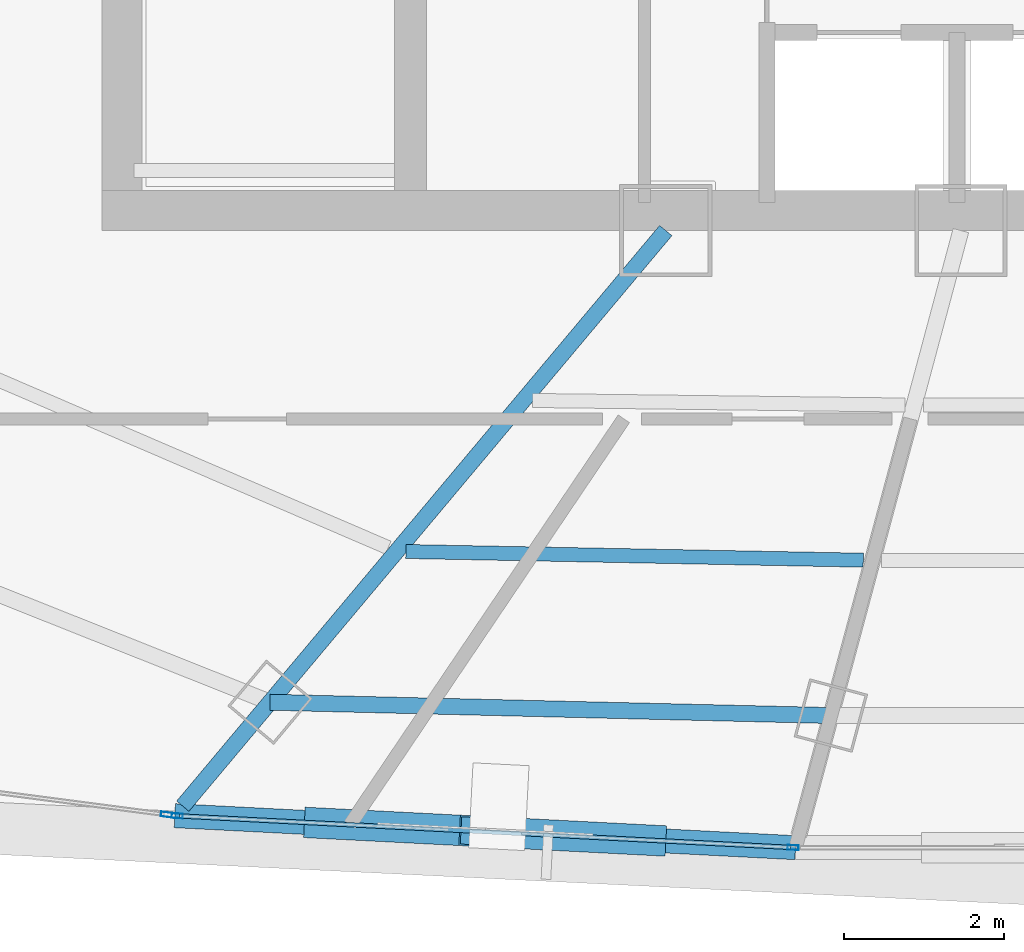
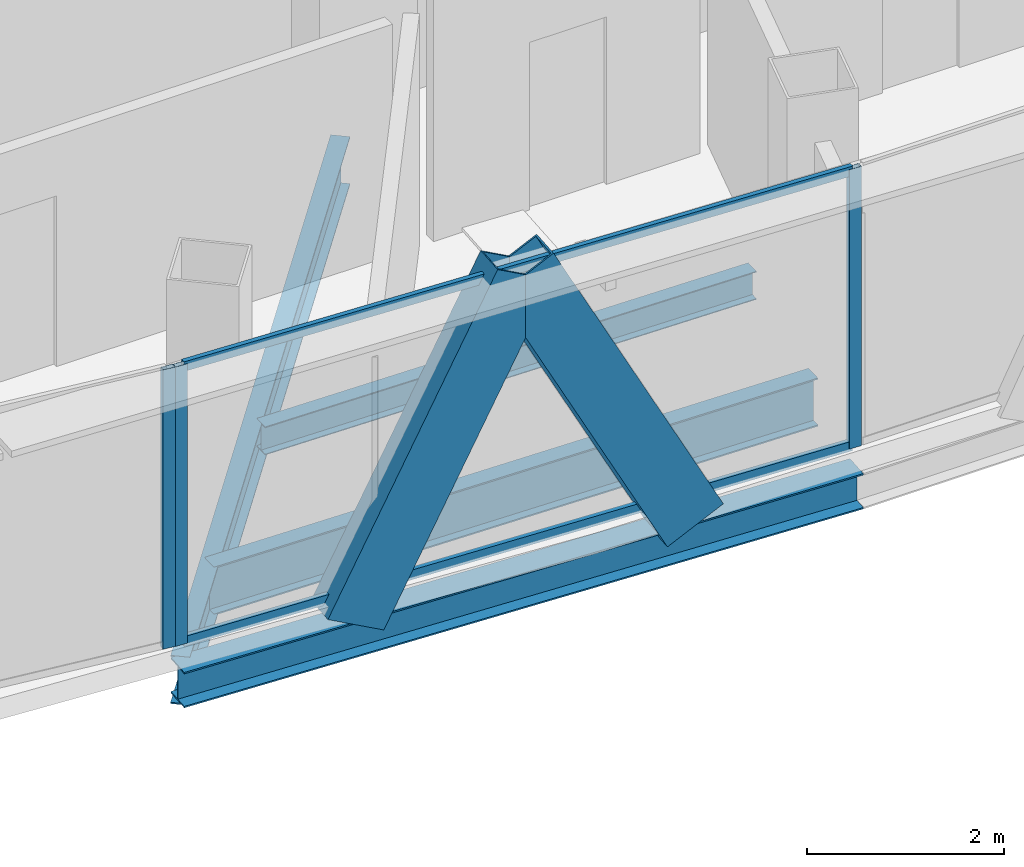
# One storey, part 6 of 33: 7 members, 4 beams, 2 elements without a shape of their own.
"""IFC4 building model written with IfcOpenShell, lengths in metres."""

from ifc_helpers import new_model, si_unit, direction, frame, origin, origin_2d, place, context, subcontext, project, spatial, hollow_rectangle, i_section, extrude, source, transform, mapped, material, layer, layer_set, material_profile, profile_set, type_object, element, aggregate, save


model = new_model("IFC4")

# Units and contexts
model_context = context("Model", 3, precision=1e-05, world=origin(), true_north=direction((0.0, 1.0)))
body_context = subcontext(model_context, "Body", "Model", "MODEL_VIEW")
ifc_project = project(units=[si_unit("LENGTHUNIT", "METRE"), si_unit("AREAUNIT", "SQUARE_METRE"), si_unit("VOLUMEUNIT", "CUBIC_METRE"), si_unit("PLANEANGLEUNIT", "RADIAN"), si_unit("MASSUNIT", "GRAM", prefix="KILO"), si_unit("THERMODYNAMICTEMPERATUREUNIT", "KELVIN"), si_unit("POWERUNIT", "WATT")], contexts=[model_context])

# Site, building, storey
site_placement = place(None, origin())
site = spatial("IfcSite", under=ifc_project, at=site_placement, CompositionType="ELEMENT")
building_placement = place(site_placement, origin())
building = spatial("IfcBuilding", under=site, at=building_placement, Name="Yunzhuo Pagoda Commons", CompositionType="ELEMENT")
storey_placement = place(building_placement, frame((0.0, 0.0, 307.39990234375)))
storey = spatial("IfcBuildingStorey", under=building, at=storey_placement, Name="L77", CompositionType="ELEMENT", Elevation=307.39990234375)

# Beams
ifc_material_1 = material(Name="Structural steel Q355B", Category="steel")
ifc_material_profile_1 = material_profile(ifc_material_1, i_section(OverallWidth=0.199951171875, OverallDepth=0.60009765625, WebThickness=0.010986328125, FlangeThickness=0.01708984375, at=origin_2d()), Name="Structural steel Q355B")
ifc_profile_set_1 = profile_set([ifc_material_profile_1], Name="Structural steel Q355B")
beam_type_1 = type_object("IfcBeamType", Name="B-RG3 Beam HN 600x200x11x17", PredefinedType="BEAM", material=ifc_profile_set_1)
shared_shape_1 = source(origin(), body_context, "Body", "SweptSolid", [
    extrude(i_section(OverallWidth=0.199951171875, OverallDepth=0.60009765625, WebThickness=0.010986328125, FlangeThickness=0.01708984375, at=origin_2d()), origin(), (0.0, 0.0, 1.0), 7.00439453125),
])
beam_1_placement = place(storey_placement, frame((37.64697265625, 21.361572265625, -0.559814453125), z_axis=(0.999719077883, -0.023701588905, 0.0), x_axis=(0.023701588905, 0.999719077883, 0.0)))
element("IfcBeam", 1, at=beam_1_placement, inside=storey, type_object=beam_type_1, Name="L77 column-ring beam 1", PredefinedType="BEAM", context=body_context, shape_type="MappedRepresentation", body=[
    mapped(shared_shape_1, transform((0.0, 0.0, 0.0), scale=1.0)),
])
ifc_material_profile_2 = material_profile(ifc_material_1, i_section(OverallWidth=0.175048828125, OverallDepth=0.35009765625, WebThickness=0.007080078125, FlangeThickness=0.010986328125, at=origin_2d()), Name="Structural steel Q355B")
ifc_profile_set_2 = profile_set([ifc_material_profile_2], Name="Structural steel Q355B")
beam_type_2 = type_object("IfcBeamType", Name="B-JS2 Joist HN 350x175x7x11", PredefinedType="JOIST", material=ifc_profile_set_2)
shared_shape_2 = source(origin(), body_context, "Body", "SweptSolid", [
    extrude(i_section(OverallWidth=0.175048828125, OverallDepth=0.35009765625, WebThickness=0.007080078125, FlangeThickness=0.010986328125, at=origin_2d()), origin(), (0.0, 0.0, 1.0), 5.711669921875),
])
beam_2_placement = place(storey_placement, frame((39.343017578125, 23.24365234375, -0.434814453125), z_axis=(0.999819084998, -0.019020969297, 0.0), x_axis=(0.019020969297, 0.999819084998, 0.0)))
element("IfcBeam", 2, at=beam_2_placement, inside=storey, type_object=beam_type_2, Name="L77 composite ring joist 2.1", PredefinedType="JOIST", context=body_context, shape_type="MappedRepresentation", body=[
    mapped(shared_shape_2, transform((0.0, 0.0, 0.0), scale=1.0)),
])
shared_shape_3 = source(origin(), body_context, "Body", "SweptSolid", [
    extrude(i_section(OverallWidth=0.199951171875, OverallDepth=0.60009765625, WebThickness=0.010986328125, FlangeThickness=0.01708984375, at=origin_2d()), origin(), (0.0, 0.0, 1.0), 9.38037109375),
])
beam_3_placement = place(storey_placement, frame((36.558349609375, 20.064208984375, -0.559814453125), z_axis=(0.64278425807, 0.766047255447, 0.0), x_axis=(-0.766047255447, 0.64278425807, 0.0)))
element("IfcBeam", 3, at=beam_3_placement, inside=storey, type_object=beam_type_1, Name="L77 radial floor girder F1C1", PredefinedType="BEAM", context=body_context, shape_type="MappedRepresentation", body=[
    mapped(shared_shape_3, transform((0.0, 0.0, 0.0), scale=1.0)),
])
ifc_material_profile_3 = material_profile(ifc_material_1, i_section(OverallWidth=0.300048828125, OverallDepth=0.43994140625, WebThickness=0.010986328125, FlangeThickness=0.01806640625, at=origin_2d()), Name="Structural steel Q355B")
ifc_profile_set_3 = profile_set([ifc_material_profile_3], Name="Structural steel Q355B")
beam_type_3 = type_object("IfcBeamType", Name="B-SP2 Beam HM 440x300x11x18", PredefinedType="BEAM", material=ifc_profile_set_3)
shared_shape_4 = source(origin(), body_context, "Body", "SweptSolid", [
    extrude(i_section(OverallWidth=0.300048828125, OverallDepth=0.43994140625, WebThickness=0.010986328125, FlangeThickness=0.01806640625, at=origin_2d()), origin(), (0.0, 0.0, 1.0), 7.759521484375),
])
beam_4_placement = place(storey_placement, frame((36.45849609375, 19.945556640625, -0.47998046875), z_axis=(0.998672725225, -0.05150522199, 0.0), x_axis=(0.05150522199, 0.998672725225, 0.0)))
element("IfcBeam", 4, at=beam_4_placement, inside=storey, type_object=beam_type_3, Name="L77 facade edge spandrel beam F1.1", PredefinedType="BEAM", context=body_context, shape_type="MappedRepresentation", body=[
    mapped(shared_shape_4, transform((0.0, 0.0, 0.0), scale=1.0)),
])

# Members
ifc_material_profile_4 = material_profile(ifc_material_1, hollow_rectangle(XDim=0.3798828125, YDim=0.719970703125, WallThickness=0.02001953125, at=origin_2d()), Name="Structural steel Q355B")
ifc_profile_set_4 = profile_set([ifc_material_profile_4], Name="Structural steel Q355B")
member_type_1 = type_object("IfcMemberType", Name="M-DL3 Brace BOX 720x380x20", PredefinedType="BRACE", material=ifc_profile_set_4)
shared_shape_5 = source(origin(), body_context, "Body", "SweptSolid", [
    extrude(hollow_rectangle(XDim=0.3798828125, YDim=0.719970703125, WallThickness=0.02001953125, at=origin_2d()), origin(), (0.0, 0.0, 1.0), 4.204345703125),
])
member_1_placement = place(storey_placement, frame((38.395751953125, 19.845458984375, -0.260009765625), z_axis=(0.460762447972, -0.023691377287, 0.887207239139), x_axis=(0.051349935036, 0.998680721838, 0.0)))
element("IfcMember", 5, at=member_1_placement, inside=storey, type_object=member_type_1, Name="L77 facade diamond brace F1.1L", PredefinedType="BRACE", context=body_context, shape_type="MappedRepresentation", body=[
    mapped(shared_shape_5, transform((0.0, 0.0, 0.0), scale=1.0)),
])
shared_shape_6 = source(origin(), body_context, "Body", "SweptSolid", [
    extrude(hollow_rectangle(XDim=0.3798828125, YDim=0.719970703125, WallThickness=0.02001953125, at=origin_2d()), origin(), (0.0, 0.0, 1.0), 4.20458984375),
])
member_2_placement = place(storey_placement, frame((42.270263671875, 19.645751953125, -0.260009765625), z_axis=(-0.460761177138, 0.023807445826, 0.887204792123), x_axis=(-0.051600981801, -0.998667781936, 0.0)))
element("IfcMember", 6, at=member_2_placement, inside=storey, type_object=member_type_1, Name="L77 facade diamond brace F1.1R", PredefinedType="BRACE", context=body_context, shape_type="MappedRepresentation", body=[
    mapped(shared_shape_6, transform((0.0, 0.0, 0.0), scale=1.0)),
])

# Curtain wall, members
ifc_material_2 = material(Name="Anodized aluminium 6063-T6", Category="aluminium")
ifc_layer = layer(ifc_material_2, 0.139892578125)
ifc_layer_set = layer_set([ifc_layer], Name="Anodized aluminium 6063-T6")
curtain_wall_type = type_object("IfcCurtainWallType", Name="CW-HI High-Zone Ribbon Curtain Wall", PredefinedType="NOTDEFINED", material=ifc_layer_set)
curtain_wall_1_placement = place(storey_placement, origin())
curtain_wall_1 = element("IfcCurtainWall", 7, at=curtain_wall_1_placement, inside=storey, type_object=curtain_wall_type, Name="L77 curtain wall CW-L77-F1B2", PredefinedType="NOTDEFINED")
ifc_material_profile_5 = material_profile(ifc_material_2, hollow_rectangle(XDim=0.06005859375, YDim=0.139892578125, WallThickness=0.00341796875, at=origin_2d()), Name="Anodized aluminium 6063-T6")
ifc_profile_set_5 = profile_set([ifc_material_profile_5], Name="Anodized aluminium 6063-T6")
member_type_2 = type_object("IfcMemberType", Name="CW-HI-M Mullion RHS 140x60x3.5", PredefinedType="MULLION", material=ifc_profile_set_5)
shared_shape_7 = source(origin(), body_context, "Body", "SweptSolid", [
    extrude(hollow_rectangle(XDim=0.06005859375, YDim=0.139892578125, WallThickness=0.00341796875, at=origin_2d()), origin(), (0.0, 0.0, 1.0), 3.47021484375),
])
member_3_placement = place(storey_placement, frame((36.488525390625, 19.94384765625, 0.0), z_axis=(0.0, 0.0, 1.0), x_axis=(0.051461616076, 0.998674973187, 0.0)))
member_3 = element("IfcMember", 8, at=member_3_placement, type_object=member_type_2, Name="CW mullion 1", PredefinedType="MULLION", context=body_context, shape_type="MappedRepresentation", body=[
    mapped(shared_shape_7, transform((0.0, 0.0, 0.0), scale=1.0)),
])
member_4_placement = place(storey_placement, frame((44.177490234375, 19.547607421875, 0.0), z_axis=(0.0, 0.0, 1.0), x_axis=(0.051461616076, 0.998674973187, 0.0)))
member_4 = element("IfcMember", 9, at=member_4_placement, type_object=member_type_2, Name="CW mullion 2", PredefinedType="MULLION", context=body_context, shape_type="MappedRepresentation", body=[
    mapped(shared_shape_7, transform((0.0, 0.0, 0.0), scale=1.0)),
])

# Curtain wall, member
curtain_wall_2_placement = place(storey_placement, origin())
curtain_wall_2 = element("IfcCurtainWall", 10, at=curtain_wall_2_placement, inside=storey, type_object=curtain_wall_type, Name="L77 curtain wall CW-L77-F1B1", PredefinedType="NOTDEFINED")
member_5_placement = place(storey_placement, frame((36.354248046875, 19.958984375, 0.0), z_axis=(0.0, 0.0, 1.0), x_axis=(0.129855071238, 0.991532985066, 0.0)))
member_5 = element("IfcMember", 11, at=member_5_placement, type_object=member_type_2, Name="CW mullion 2", PredefinedType="MULLION", context=body_context, shape_type="MappedRepresentation", body=[
    mapped(shared_shape_7, transform((0.0, 0.0, 0.0), scale=1.0)),
])
aggregate(curtain_wall_2, [member_5])

# Member
ifc_material_profile_6 = material_profile(ifc_material_2, hollow_rectangle(XDim=0.054931640625, YDim=0.1201171875, WallThickness=0.00341796875, at=origin_2d()), Name="Anodized aluminium 6063-T6")
ifc_profile_set_6 = profile_set([ifc_material_profile_6], Name="Anodized aluminium 6063-T6")
member_type_3 = type_object("IfcMemberType", Name="CW-HI-T Transom RHS 120x55x3.5", PredefinedType="USERDEFINED", material=ifc_profile_set_6)
shared_shape_8 = source(origin(), body_context, "Body", "SweptSolid", [
    extrude(hollow_rectangle(XDim=0.054931640625, YDim=0.1201171875, WallThickness=0.00341796875, at=origin_2d()), origin(), (0.0, 0.0, 1.0), 7.638916015625),
])
member_6_placement = place(storey_placement, frame((36.5185546875, 19.942138671875, 0.027587890625), z_axis=(0.998675311763, -0.051455045185, 0.0), x_axis=(0.051455045185, 0.998675311763, 0.0)))
member_6 = element("IfcMember", 12, at=member_6_placement, type_object=member_type_3, Name="CW transom 1.1", ObjectType="TRANSOM", PredefinedType="USERDEFINED", context=body_context, shape_type="MappedRepresentation", body=[
    mapped(shared_shape_8, transform((0.0, 0.0, 0.0), scale=1.0)),
])

member_7_placement = place(storey_placement, frame((36.5185546875, 19.942138671875, 3.442626953125), z_axis=(0.998675311763, -0.051455045185, 0.0), x_axis=(0.051455045185, 0.998675311763, 0.0)))
member_7 = element("IfcMember", 13, at=member_7_placement, type_object=member_type_3, Name="CW transom 1.2", ObjectType="TRANSOM", PredefinedType="USERDEFINED", context=body_context, shape_type="MappedRepresentation", body=[
    mapped(shared_shape_8, transform((0.0, 0.0, 0.0), scale=1.0)),
])

aggregate(curtain_wall_1, [member_3, member_4, member_6, member_7])

save(model, "model.ifc")
